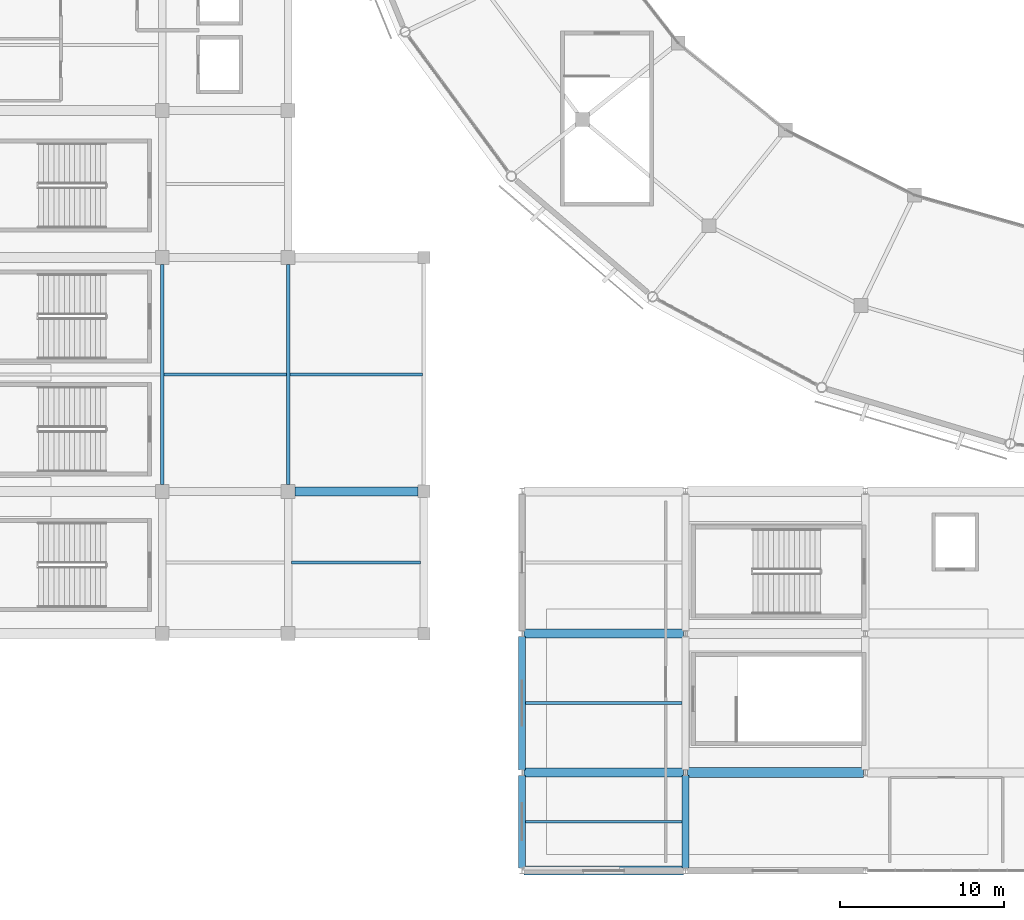
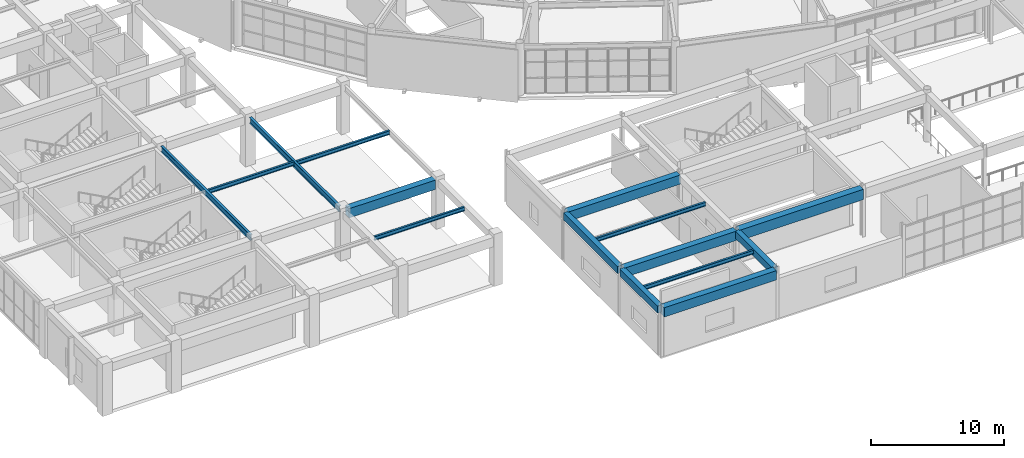
# One storey, part 15 of 112: 15 beams.
"""IFC4 building model written with IfcOpenShell, lengths in metres."""

import ifcopenshell
import ifcopenshell.guid

model = None  # the IFC model being written
_history = None  # IfcOwnerHistory: only IFC2X3 demands one
_inside = {}  # id of a spatial element -> (the spatial element, [elements in it])
_under = {}  # id of a project, library or spatial element -> (it, [spatial elements below it])
_declared = {}  # id of a project -> (the project, [libraries it declares])
_typed = {}  # id of a type object -> (the type object, [elements of that type])
_made_of = {}  # id of a material, layer set ... -> (it, [elements and type objects made of it])


def new_model(schema):
    """Start an empty IFC model of exactly this schema.

    Asked for "IFC4X3", IfcOpenShell would pick the latest addendum, in which some entities
    have other attributes; the version numbers below select the first issue.
    IFC2X3 requires an IfcOwnerHistory on every rooted entity: one is made here for all.
    """
    global model, _history
    if schema == "IFC4X3":
        model = ifcopenshell.file(schema_version=(4, 3, 0, 0))
    else:
        model = ifcopenshell.file(schema=schema)
    _inside.clear()
    _under.clear()
    _declared.clear()
    _typed.clear()
    _made_of.clear()
    _history = None
    if model.schema == "IFC2X3":
        org = make("IfcOrganization", Name="unknown")
        user = make(
            "IfcPersonAndOrganization",
            ThePerson=make("IfcPerson", FamilyName="unknown"),
            TheOrganization=org,
        )
        app = make(
            "IfcApplication",
            ApplicationDeveloper=org,
            Version="unknown",
            ApplicationFullName="unknown",
            ApplicationIdentifier="unknown",
        )
        _history = make(
            "IfcOwnerHistory",
            OwningUser=user,
            OwningApplication=app,
            ChangeAction="ADDED",
            CreationDate=0,
        )
    return model


def make(cls, **values):
    """One entity of the class cls with the attributes given. An attribute that is None is left unset."""
    return model.create_entity(
        cls, **{name: value for name, value in values.items() if value is not None}
    )


def rooted(cls, **values):
    """An entity with a GlobalId (a new one), such as an element, a storey or a relation."""
    return make(cls, GlobalId=ifcopenshell.guid.new(), OwnerHistory=_history, **values)


def si_unit(unit_type, name, prefix=None):
    """IfcSIUnit, for example si_unit("LENGTHUNIT", "METRE", prefix="MILLI")."""
    return make("IfcSIUnit", UnitType=unit_type, Prefix=prefix, Name=name)


def assignment(units):
    """IfcUnitAssignment: the units of a project."""
    return None if units is None else make("IfcUnitAssignment", Units=units)


def point(xyz):
    """IfcCartesianPoint."""
    return None if xyz is None else make("IfcCartesianPoint", Coordinates=xyz)


def direction(xyz):
    """IfcDirection."""
    return None if xyz is None else make("IfcDirection", DirectionRatios=xyz)


def frame(location, z_axis=None, x_axis=None):
    """IfcAxis2Placement3D, a coordinate frame: its origin and axes. An axis left out is left unset."""
    return make(
        "IfcAxis2Placement3D",
        Location=point(location),
        Axis=direction(z_axis),
        RefDirection=direction(x_axis),
    )


def frame_2d(location, x_axis=None):
    """IfcAxis2Placement2D, a coordinate frame in the plane: its origin and x axis."""
    return make(
        "IfcAxis2Placement2D", Location=point(location), RefDirection=direction(x_axis)
    )


def origin():
    """The frame at (0, 0, 0) with its axes left unset."""
    return frame((0.0, 0.0, 0.0))


def origin_2d():
    """The frame at (0, 0) in the plane with its x axis left unset."""
    return frame_2d((0.0, 0.0))


def place(relative_to, where):
    """IfcLocalPlacement: puts the frame where relative to a parent placement (None: the world)."""
    return make(
        "IfcLocalPlacement", PlacementRelTo=relative_to, RelativePlacement=where
    )


def context(
    kind, dimensions, precision=None, world=None, true_north=None, identifier=None
):
    """IfcGeometricRepresentationContext, for example the 3D "Model" context."""
    return make(
        "IfcGeometricRepresentationContext",
        ContextIdentifier=identifier,
        ContextType=kind,
        CoordinateSpaceDimension=dimensions,
        Precision=precision,
        WorldCoordinateSystem=world,
        TrueNorth=true_north,
    )


def subcontext(parent, identifier, kind, view, scale=None):
    """IfcGeometricRepresentationSubContext, for example "Body" below "Model"."""
    return make(
        "IfcGeometricRepresentationSubContext",
        ContextIdentifier=identifier,
        ContextType=kind,
        ParentContext=parent,
        TargetScale=scale,
        TargetView=view,
    )


def project(units=None, contexts=None):
    """IfcProject with its units and contexts."""
    return rooted(
        "IfcProject",
        Name="project",
        RepresentationContexts=contexts,
        UnitsInContext=assignment(units),
    )


def spatial(cls, under=None, at=None, **own):
    """A site, building, storey or space (cls), placed at a placement, below another one or the project."""
    s = rooted(cls, ObjectPlacement=at, **own)
    if under is not None:
        _under.setdefault(under.id(), (under, []))[1].append(s)
    return s


def profile(cls, at=None, kind="AREA", **sizes):
    """A parametric profile (cls). Its sizes go by their IFC names, for example OverallWidth=200.0."""
    return make(cls, ProfileType=kind, Position=at, **sizes)


def rectangle(**sizes):
    """IfcRectangleProfileDef."""
    return profile("IfcRectangleProfileDef", **sizes)


def i_section(**sizes):
    """IfcIShapeProfileDef."""
    return profile("IfcIShapeProfileDef", **sizes)


def extrude(swept, where, along, depth):
    """IfcExtrudedAreaSolid: the profile swept, set in the frame where, extruded along a direction by depth."""
    return make(
        "IfcExtrudedAreaSolid",
        SweptArea=swept,
        Position=where,
        ExtrudedDirection=direction(along),
        Depth=depth,
    )


def shape(context_of_items, identifier, shape_type, items):
    """IfcShapeRepresentation: the items that make up one representation, for example the "Body"."""
    return make(
        "IfcShapeRepresentation",
        ContextOfItems=context_of_items,
        RepresentationIdentifier=identifier,
        RepresentationType=shape_type,
        Items=items,
    )


def material(Name=None, Category=None):
    """IfcMaterial."""
    return make("IfcMaterial", Name=Name, Category=Category)


def material_profile(
    of_material, cross_section, Name=None, Category=None, Priority=None
):
    """IfcMaterialProfile: a cross section and its material."""
    return make(
        "IfcMaterialProfile",
        Name=Name,
        Material=of_material,
        Profile=cross_section,
        Priority=Priority,
        Category=Category,
    )


def profile_set(profiles, Name=None, composite=None):
    """IfcMaterialProfileSet."""
    return make(
        "IfcMaterialProfileSet",
        Name=Name,
        MaterialProfiles=profiles,
        CompositeProfile=composite,
    )


def made_of(thing, what):
    """Note that an element or type object is made of a material, layer set ...; save() writes the relation."""
    if what is not None:
        _made_of.setdefault(what.id(), (what, []))[1].append(thing)
    return thing


def type_object(cls, material=None, **own):
    """A type object (cls), such as IfcWallType, which elements share."""
    return made_of(rooted(cls, **own), material)


def element(
    cls,
    number,
    at=None,
    inside=None,
    cuts=None,
    type_object=None,
    material=None,
    context=None,
    identifier="Body",
    shape_type=None,
    held_by="IfcProductDefinitionShape",
    body=None,
    shapes=None,
    **own,
):
    """One element of the class cls, such as IfcWall. Its Tag is "e" and its number.

    at: its placement. inside: the storey or other place that contains it. cuts: it is an
    opening in that element (IfcRelVoidsElement). A single representation is given by context,
    identifier, shape_type and body (its items); several are given by shapes. held_by: the class
    of the entity that holds the representations. save() writes the other relations.
    """
    e = rooted(cls, Tag="e%d" % number, ObjectPlacement=at, **own)
    if body is not None:
        shapes = [shape(context, identifier, shape_type, body)]
    if shapes is not None:
        e.Representation = make(held_by, Representations=shapes)
    if inside is not None:
        _inside.setdefault(inside.id(), (inside, []))[1].append(e)
    if cuts is not None:
        rooted(
            "IfcRelVoidsElement", RelatingBuildingElement=cuts, RelatedOpeningElement=e
        )
    if type_object is not None:
        _typed.setdefault(type_object.id(), (type_object, []))[1].append(e)
    return made_of(e, material)


def aggregate(whole, parts):
    """IfcRelAggregates: a whole, such as a stair, and the parts it consists of."""
    return rooted("IfcRelAggregates", RelatingObject=whole, RelatedObjects=parts)


def save(model, path):
    """Write the relations noted so far, then the file.

    IfcRelAggregates (storeys below a building ...), IfcRelContainedInSpatialStructure (elements
    in a storey), IfcRelDefinesByType, IfcRelAssociatesMaterial and IfcRelDeclares: one each for
    every whole, place, type object, material and project.
    """
    for whole, parts in _under.values():
        aggregate(whole, parts)
    for where, things in _inside.values():
        rooted(
            "IfcRelContainedInSpatialStructure",
            RelatedElements=things,
            RelatingStructure=where,
        )
    for kind, things in _typed.values():
        rooted("IfcRelDefinesByType", RelatedObjects=things, RelatingType=kind)
    for what, things in _made_of.values():
        rooted("IfcRelAssociatesMaterial", RelatedObjects=things, RelatingMaterial=what)
    for by, libraries in _declared.values():
        rooted("IfcRelDeclares", RelatingContext=by, RelatedDefinitions=libraries)
    model.write(path)


model = new_model("IFC4")

# Units and contexts
model_context = context("Model", 3, precision=1e-05, world=origin(), true_north=direction((0.0, 1.0)))
body_context = subcontext(model_context, "Body", "Model", "MODEL_VIEW")
ifc_project = project(units=[si_unit("LENGTHUNIT", "METRE"), si_unit("AREAUNIT", "SQUARE_METRE"), si_unit("VOLUMEUNIT", "CUBIC_METRE"), si_unit("PLANEANGLEUNIT", "RADIAN"), si_unit("MASSUNIT", "GRAM", prefix="KILO")], contexts=[model_context])

# Site, building, storey
site_placement = place(None, origin())
site = spatial("IfcSite", under=ifc_project, at=site_placement, CompositionType="ELEMENT")
building_placement = place(site_placement, origin())
building = spatial("IfcBuilding", under=site, at=building_placement, Name="Cuetzalor Civic Arena", CompositionType="ELEMENT")
storey_placement = place(building_placement, frame((0.0, 0.0, 11.39990234375)))
storey = spatial("IfcBuildingStorey", under=building, at=storey_placement, Name="L02", CompositionType="ELEMENT", Elevation=11.39990234375)

# Beams
ifc_material_1 = material(Name="Concrete C40/50", Category="concrete")
ifc_material_profile_1 = material_profile(ifc_material_1, rectangle(XDim=0.550048828125, YDim=0.85009765625, at=origin_2d()), Name="RC 550x850")
ifc_profile_set_1 = profile_set([ifc_material_profile_1], Name="Concrete C40/50")
beam_type_1 = type_object("IfcBeamType", Name="ConcreteFrameBeam_550x850", PredefinedType="BEAM", material=ifc_profile_set_1)
for number, where, z_axis, x_axis, name in (
    (1, (-41.881591796875, -71.5, 4.09521484375), (1.0, 0.0, 0.0), (0.0, 1.0, 0.0), "Frame Girder V3-L02-X0577"),
    (2, (-41.881591796875, -65.5, 4.09521484375), (1.0, 0.0, 0.0), (0.0, 1.0, 0.0), "Frame Girder V3-L02-X0579"),
    (3, (-41.881591796875, -57.0, 4.09521484375), (1.0, 0.0, 0.0), (0.0, 1.0, 0.0), "Frame Girder V3-L02-X0587"),
):
    element("IfcBeam", number, at=place(storey_placement, frame(where, z_axis=z_axis, x_axis=x_axis)), inside=storey, type_object=beam_type_1, Name=name, PredefinedType="BEAM", context=body_context, shape_type="SweptSolid", body=[
        extrude(rectangle(XDim=0.550048828125, YDim=0.85009765625, at=origin_2d()), origin(), (0.0, 0.0, 1.0), 9.76318359375),
    ])
beam_1_placement = place(storey_placement, frame((-55.885009765625, -48.300048828125, 4.03515625), z_axis=(1.0, 0.0, 0.0), x_axis=(0.0, 1.0, 0.0)))
element("IfcBeam", 4, at=beam_1_placement, inside=storey, type_object=beam_type_1, Name="Frame Girder V4W-L02-X0629", PredefinedType="BEAM", context=body_context, shape_type="SweptSolid", body=[
    extrude(rectangle(XDim=0.550048828125, YDim=0.85009765625, at=origin_2d()), origin(), (0.0, 0.0, 1.0), 7.52001953125),
])
ifc_material_2 = material(Name="Concrete C40/50", Category="concrete")
ifc_material_profile_2 = material_profile(ifc_material_2, rectangle(XDim=0.60009765625, YDim=0.949951171875, at=origin_2d()), Name="RC 600x950")
ifc_profile_set_2 = profile_set([ifc_material_profile_2], Name="Concrete C40/50")
beam_type_2 = type_object("IfcBeamType", Name="ConcreteFrameBeam_600x950", PredefinedType="BEAM", material=ifc_profile_set_2)
beam_2_placement = place(storey_placement, frame((-31.881591796875, -65.5, 4.045166015625), z_axis=(1.0, 0.0, 0.0), x_axis=(0.0, 1.0, 0.0)))
element("IfcBeam", 5, at=beam_2_placement, inside=storey, type_object=beam_type_2, Name="Frame Girder V3-L02-X0580", PredefinedType="BEAM", context=body_context, shape_type="SweptSolid", body=[
    extrude(rectangle(XDim=0.60009765625, YDim=0.949951171875, at=origin_2d()), origin(), (0.0, 0.0, 1.0), 10.76318359375),
])
ifc_material_3 = material(Name="Concrete C40/50", Category="concrete")
ifc_material_profile_3 = material_profile(ifc_material_3, rectangle(XDim=0.449951171875, YDim=0.64990234375, at=origin_2d()), Name="RC 450x650")
ifc_profile_set_3 = profile_set([ifc_material_profile_3], Name="Concrete C40/50")
beam_type_3 = type_object("IfcBeamType", Name="ConcreteTieBeam_450x650", PredefinedType="BEAM", material=ifc_profile_set_3)
beam_3_placement = place(storey_placement, frame((-42.0, -71.32861328125, 4.195068359375), z_axis=(0.0, 1.0, 0.0), x_axis=(-1.0, 0.0, 0.0)))
element("IfcBeam", 6, at=beam_3_placement, inside=storey, type_object=beam_type_3, Name="Frame Girder V3-L02-Y0601", PredefinedType="BEAM", context=body_context, shape_type="SweptSolid", body=[
    extrude(rectangle(XDim=0.449951171875, YDim=0.64990234375, at=origin_2d()), origin(), (0.0, 0.0, 1.0), 5.6572265625),
])
beam_4_placement = place(storey_placement, frame((-42.0, -65.32861328125, 4.195068359375), z_axis=(0.0, 1.0, 0.0), x_axis=(-1.0, 0.0, 0.0)))
element("IfcBeam", 7, at=beam_4_placement, inside=storey, type_object=beam_type_3, Name="Frame Girder V3-L02-Y0602", PredefinedType="BEAM", context=body_context, shape_type="SweptSolid", body=[
    extrude(rectangle(XDim=0.449951171875, YDim=0.64990234375, at=origin_2d()), origin(), (0.0, 0.0, 1.0), 8.1572265625),
])
beam_5_placement = place(storey_placement, frame((-32.0, -71.32861328125, 4.195068359375), z_axis=(0.0, 1.0, 0.0), x_axis=(-1.0, 0.0, 0.0)))
element("IfcBeam", 8, at=beam_5_placement, inside=storey, type_object=beam_type_3, Name="Frame Girder V3-L02-Y0604", PredefinedType="BEAM", context=body_context, shape_type="SweptSolid", body=[
    extrude(rectangle(XDim=0.449951171875, YDim=0.64990234375, at=origin_2d()), origin(), (0.0, 0.0, 1.0), 5.6572265625),
])
ifc_material_4 = material(Name="Steel S355", Category="steel")
ifc_material_profile_4 = material_profile(ifc_material_4, i_section(OverallWidth=0.1708984375, OverallDepth=0.35498046875, WebThickness=0.007080078125, FlangeThickness=0.01171875, at=origin_2d()), Name="W360x51")
ifc_profile_set_4 = profile_set([ifc_material_profile_4], Name="Steel S355")
beam_type_4 = type_object("IfcBeamType", Name="SecondaryFloorJoist_W360", PredefinedType="JOIST", material=ifc_profile_set_4)
for number, where, z_axis, x_axis, name in (
    (9, (-41.782958984375, -68.5, 4.342529296875), (1.0, 0.0, 0.0), (0.0, 1.0, 0.0), "Secondary Floor Joist V3-L02-0181"),
    (10, (-41.782958984375, -61.25, 4.342529296875), (1.0, 0.0, 0.0), (0.0, 1.0, 0.0), "Secondary Floor Joist V3-L02-0182"),
):
    element("IfcBeam", number, at=place(storey_placement, frame(where, z_axis=z_axis, x_axis=x_axis)), inside=storey, type_object=beam_type_4, Name=name, PredefinedType="JOIST", context=body_context, shape_type="SweptSolid", body=[
        extrude(i_section(OverallWidth=0.1708984375, OverallDepth=0.35498046875, WebThickness=0.007080078125, FlangeThickness=0.01171875, at=origin_2d()), origin(), (0.0, 0.0, 1.0), 9.56591796875),
    ])
beam_6_placement = place(storey_placement, frame((-63.903564453125, -41.14990234375, 4.342529296875), z_axis=(1.0, 0.0, 0.0), x_axis=(0.0, 1.0, 0.0)))
element("IfcBeam", 11, at=beam_6_placement, inside=storey, type_object=beam_type_4, Name="Secondary Floor Joist V4W-L02-0207", PredefinedType="JOIST", context=body_context, shape_type="SweptSolid", body=[
    extrude(i_section(OverallWidth=0.1708984375, OverallDepth=0.35498046875, WebThickness=0.007080078125, FlangeThickness=0.01171875, at=origin_2d()), origin(), (0.0, 0.0, 1.0), 7.507080078125),
])
beam_7_placement = place(storey_placement, frame((-56.0830078125, -52.64990234375, 4.28271484375), z_axis=(1.0, 0.0, 0.0), x_axis=(0.0, 1.0, 0.0)))
element("IfcBeam", 12, at=beam_7_placement, inside=storey, type_object=beam_type_4, Name="Secondary Floor Joist V4W-L02-0215", PredefinedType="JOIST", context=body_context, shape_type="SweptSolid", body=[
    extrude(i_section(OverallWidth=0.1708984375, OverallDepth=0.35498046875, WebThickness=0.007080078125, FlangeThickness=0.01171875, at=origin_2d()), origin(), (0.0, 0.0, 1.0), 7.865966796875),
])
beam_8_placement = place(storey_placement, frame((-56.20361328125, -41.14990234375, 4.28271484375), z_axis=(1.0, 0.0, 0.0), x_axis=(0.0, 1.0, 0.0)))
element("IfcBeam", 13, at=beam_8_placement, inside=storey, type_object=beam_type_4, Name="Secondary Floor Joist V4W-L02-0216", PredefinedType="JOIST", context=body_context, shape_type="SweptSolid", body=[
    extrude(i_section(OverallWidth=0.1708984375, OverallDepth=0.35498046875, WebThickness=0.007080078125, FlangeThickness=0.01171875, at=origin_2d()), origin(), (0.0, 0.0, 1.0), 8.107177734375),
])
ifc_material_5 = material(Name="Steel S355", Category="steel")
ifc_material_profile_5 = material_profile(ifc_material_5, i_section(OverallWidth=0.208984375, OverallDepth=0.532958984375, WebThickness=0.01025390625, FlangeThickness=0.015625, at=origin_2d()), Name="W530x92")
ifc_profile_set_5 = profile_set([ifc_material_profile_5], Name="Steel S355")
beam_type_5 = type_object("IfcBeamType", Name="SteelCollarGirder_W530", PredefinedType="BEAM", material=ifc_profile_set_5)
for number, where, z_axis, x_axis, name in (
    (14, (-64.0, -47.885009765625, 4.253662109375), (0.0, 1.0, 0.0), (-1.0, 0.0, 0.0), "Frame Girder V4W-L02-Y0679"),
    (15, (-56.300048828125, -47.885009765625, 4.193603515625), (0.0, 1.0, 0.0), (-1.0, 0.0, 0.0), "Frame Girder V4W-L02-Y0689"),
):
    element("IfcBeam", number, at=place(storey_placement, frame(where, z_axis=z_axis, x_axis=x_axis)), inside=storey, type_object=beam_type_5, Name=name, PredefinedType="BEAM", context=body_context, shape_type="SweptSolid", body=[
        extrude(i_section(OverallWidth=0.208984375, OverallDepth=0.532958984375, WebThickness=0.01025390625, FlangeThickness=0.015625, at=origin_2d()), origin(), (0.0, 0.0, 1.0), 13.469970703125),
    ])

save(model, "model.ifc")
